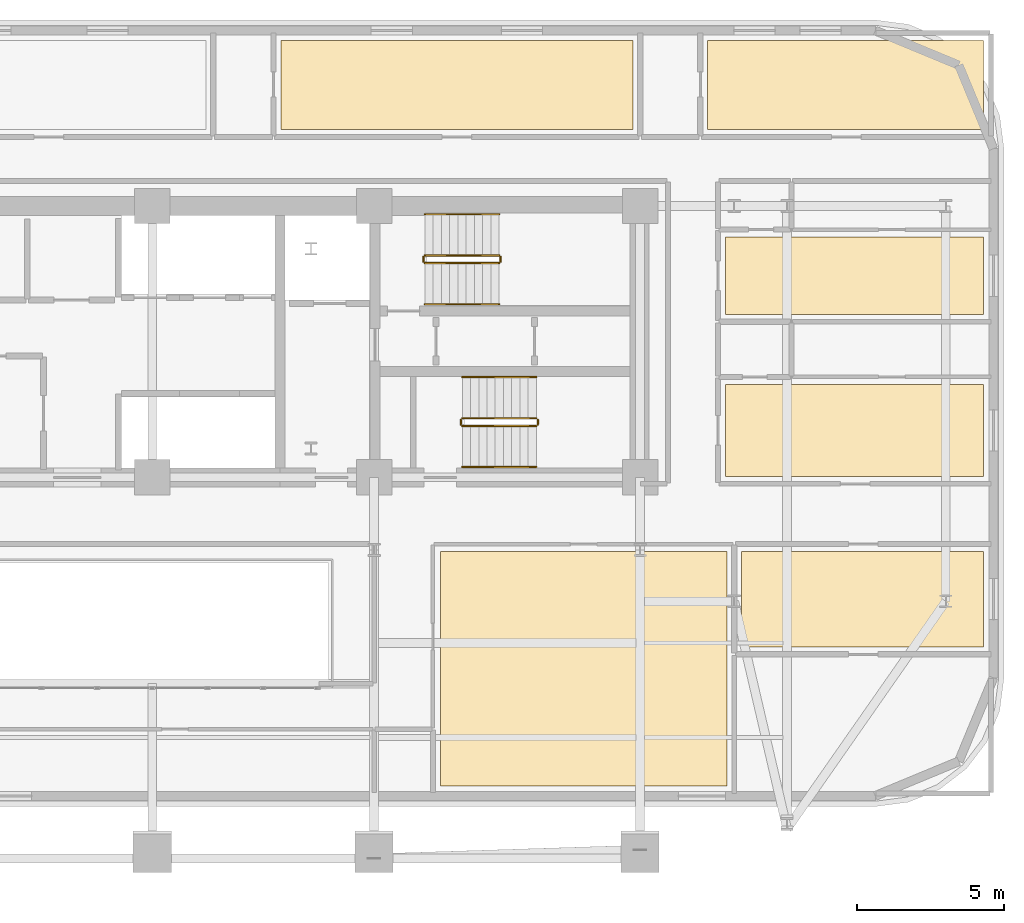
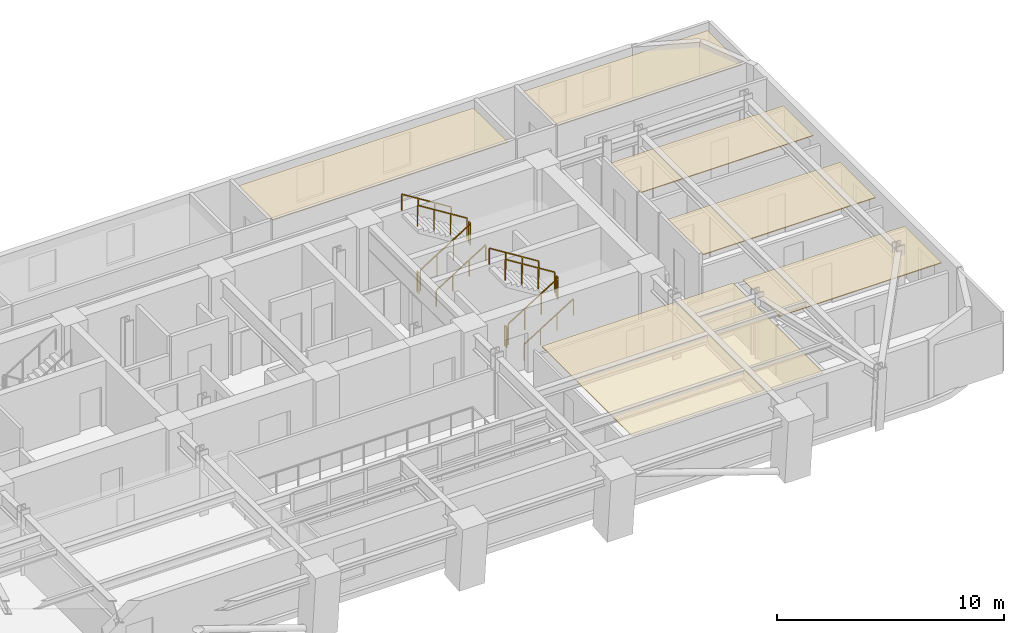
# One storey, part 14 of 14: 12 railings, 6 coverings.
"""IFC4 building model written with IfcOpenShell, lengths in metres."""

from ifc_helpers import new_model, si_unit, direction, frame, origin, origin_2d, place, context, subcontext, project, spatial, polyline, rectangle, outline, extrude, material, layer, layer_set, type_object, element, save


model = new_model("IFC4")

# Units and contexts
model_context = context("Model", 3, precision=1e-05, world=origin(), true_north=direction((0.0, 1.0)))
body_context = subcontext(model_context, "Body", "Model", "MODEL_VIEW")
ifc_project = project(units=[si_unit("LENGTHUNIT", "METRE"), si_unit("AREAUNIT", "SQUARE_METRE"), si_unit("VOLUMEUNIT", "CUBIC_METRE"), si_unit("PLANEANGLEUNIT", "RADIAN"), si_unit("MASSUNIT", "GRAM", prefix="KILO")], contexts=[model_context])

# Site, building, storey
site_placement = place(None, origin())
site = spatial("IfcSite", under=ifc_project, at=site_placement, CompositionType="ELEMENT")
building_placement = place(site_placement, origin())
building = spatial("IfcBuilding", under=site, at=building_placement, Name="Zarnavel Station Tower", CompositionType="ELEMENT")
storey_placement = place(building_placement, frame((0.0, 0.0, 122.300048828125)))
storey = spatial("IfcBuildingStorey", under=building, at=storey_placement, Name="L33", CompositionType="ELEMENT", Elevation=122.300048828125)

# Coverings
ifc_material_1 = material(Name="Perforated Gypsum and Mineral-Wool Acoustic Ceiling", Category="concrete")
ifc_layer = layer(ifc_material_1, 0.0400390625)
ifc_layer_set = layer_set([ifc_layer], Name="COV_CEIL_ACOUSTIC")
covering_type = type_object("IfcCoveringType", Name="COV_CEIL_ACOUSTIC", PredefinedType="CEILING", material=ifc_layer_set)
covering_1_placement = place(storey_placement, frame((0.0, 0.0, 2.919921875)))
element("IfcCovering", 1, at=covering_1_placement, inside=storey, type_object=covering_type, Name="L33 FNE1R Acoustic Ceiling", PredefinedType="CEILING", context=body_context, shape_type="SweptSolid", body=[
    extrude(outline(polyline([(48.300048828125, 27.85009765625), (57.090087890625, 27.85009765625), (57.090087890625, 30.986083984375), (48.300048828125, 30.986083984375), (48.300048828125, 27.85009765625)])), origin(), (0.0, 0.0, 1.0), 0.0400390625),
])
covering_2_placement = place(storey_placement, frame((0.0, 0.0, 2.919921875)))
element("IfcCovering", 2, at=covering_2_placement, inside=storey, type_object=covering_type, Name="L33 FNE2R Acoustic Ceiling", PredefinedType="CEILING", context=body_context, shape_type="SweptSolid", body=[
    extrude(outline(polyline([(48.300048828125, 33.35888671875), (57.090087890625, 33.35888671875), (57.090087890625, 36.0), (48.300048828125, 36.0), (48.300048828125, 33.35888671875)])), origin(), (0.0, 0.0, 1.0), 0.0400390625),
])
covering_3_placement = place(storey_placement, frame((0.0, 0.0, 2.919921875)))
element("IfcCovering", 3, at=covering_3_placement, inside=storey, type_object=covering_type, Name="L33 HN3R Acoustic Ceiling", PredefinedType="CEILING", context=body_context, shape_type="SweptSolid", body=[
    extrude(outline(polyline([(33.177001953125, 39.64990234375), (45.14990234375, 39.64990234375), (45.14990234375, 42.68994140625), (33.177001953125, 42.68994140625), (33.177001953125, 39.64990234375)])), origin(), (0.0, 0.0, 1.0), 0.0400390625),
])
covering_4_placement = place(storey_placement, frame((0.0, 0.0, 2.919921875)))
element("IfcCovering", 4, at=covering_4_placement, inside=storey, type_object=covering_type, Name="L33 HN4R Acoustic Ceiling", PredefinedType="CEILING", context=body_context, shape_type="SweptSolid", body=[
    extrude(outline(polyline([(47.699951171875, 39.64990234375), (57.090087890625, 39.64990234375), (57.090087890625, 42.68994140625), (47.699951171875, 42.68994140625), (47.699951171875, 39.64990234375)])), origin(), (0.0, 0.0, 1.0), 0.0400390625),
])
covering_5_placement = place(storey_placement, frame((0.0, 0.0, 2.919921875)))
element("IfcCovering", 5, at=covering_5_placement, inside=storey, type_object=covering_type, Name="L33 L33DIN Acoustic Ceiling", PredefinedType="CEILING", context=body_context, shape_type="SweptSolid", body=[
    extrude(outline(polyline([(38.60009765625, 17.31005859375), (48.35009765625, 17.31005859375), (48.35009765625, 25.300048828125), (38.60009765625, 25.300048828125), (38.60009765625, 17.31005859375)])), origin(), (0.0, 0.0, 1.0), 0.0400390625),
])
covering_6_placement = place(storey_placement, frame((0.0, 0.0, 2.919921875)))
element("IfcCovering", 6, at=covering_6_placement, inside=storey, type_object=covering_type, Name="L33 L33KIT Acoustic Ceiling", PredefinedType="CEILING", context=body_context, shape_type="SweptSolid", body=[
    extrude(outline(polyline([(48.85009765625, 22.050048828125), (57.090087890625, 22.050048828125), (57.090087890625, 25.300048828125), (48.85009765625, 25.300048828125), (48.85009765625, 22.050048828125)])), origin(), (0.0, 0.0, 1.0), 0.0400390625),
])

# Railings
ifc_material_2 = material(Name="Painted Steel S355J2 Balustrade", Category="steel")
railing_type_1 = type_object("IfcRailingType", Name="GR_INT_1150", PredefinedType="GUARDRAIL", material=ifc_material_2)
railing_1_placement = place(storey_placement, frame((38.080078125, 35.110107421875, 0.175048828125)))
element("IfcRailing", 7, at=railing_1_placement, inside=storey, type_object=railing_type_1, Name="L33 ST2 stair guard 1", PredefinedType="GUARDRAIL", context=body_context, shape_type="SweptSolid", body=[
    extrude(rectangle(XDim=0.048095703125, YDim=0.048095703125, at=origin_2d()), frame((0.001708984375, 0.0, 1.126953125), z_axis=(0.848007534815, 0.0, 0.529984170421), x_axis=(0.0, 1.0, 0.0)), (0.0, 0.0, 1.0), 2.9677734375),
    extrude(rectangle(XDim=0.0419921875, YDim=0.0419921875, at=origin_2d()), origin(), (0.0, 0.0, 1.0), 1.101806640625),
    extrude(rectangle(XDim=0.0419921875, YDim=0.0419921875, at=origin_2d()), frame((0.840087890625, 0.0, 0.52490234375)), (0.0, 0.0, 1.0), 1.101806640625),
    extrude(rectangle(XDim=0.0419921875, YDim=0.0419921875, at=origin_2d()), frame((1.679931640625, 0.0, 1.050048828125)), (0.0, 0.0, 1.0), 1.101806640625),
    extrude(rectangle(XDim=0.0419921875, YDim=0.0419921875, at=origin_2d()), frame((2.52001953125, 0.0, 1.574951171875)), (0.0, 0.0, 1.0), 1.101806640625),
])
railing_2_placement = place(storey_placement, frame((40.64990234375, 35.159912109375, 1.75)))
element("IfcRailing", 8, at=railing_2_placement, inside=storey, type_object=railing_type_1, Name="L33 ST2 stair guard 2", PredefinedType="GUARDRAIL", context=body_context, shape_type="SweptSolid", body=[
    extrude(rectangle(XDim=0.048095703125, YDim=0.048095703125, at=origin_2d()), frame((0.0, 0.001953125, 1.1259765625), z_axis=(0.0, 1.0, 0.0), x_axis=(-1.0, 0.0, 0.0)), (0.0, 0.0, 1.0), 0.15625),
    extrude(rectangle(XDim=0.0419921875, YDim=0.0419921875, at=origin_2d()), origin(), (0.0, 0.0, 1.0), 1.101806640625),
    extrude(rectangle(XDim=0.0419921875, YDim=0.0419921875, at=origin_2d()), frame((0.0, 0.16015625, 0.0)), (0.0, 0.0, 1.0), 1.101806640625),
])
railing_3_placement = place(storey_placement, frame((40.60009765625, 35.3701171875, 1.925048828125)))
element("IfcRailing", 9, at=railing_3_placement, inside=storey, type_object=railing_type_1, Name="L33 ST2 stair guard 3", PredefinedType="GUARDRAIL", context=body_context, shape_type="SweptSolid", body=[
    extrude(rectangle(XDim=0.048095703125, YDim=0.048095703125, at=origin_2d()), frame((-0.001708984375, 0.0, 1.126953125), z_axis=(-0.848007534815, 0.0, 0.529984170421), x_axis=(0.0, -1.0, 0.0)), (0.0, 0.0, 1.0), 2.9677734375),
    extrude(rectangle(XDim=0.0419921875, YDim=0.0419921875, at=origin_2d()), origin(), (0.0, 0.0, 1.0), 1.101806640625),
    extrude(rectangle(XDim=0.0419921875, YDim=0.0419921875, at=origin_2d()), frame((-0.840087890625, 0.0, 0.52490234375)), (0.0, 0.0, 1.0), 1.101806640625),
    extrude(rectangle(XDim=0.0419921875, YDim=0.0419921875, at=origin_2d()), frame((-1.679931640625, 0.0, 1.050048828125)), (0.0, 0.0, 1.0), 1.101806640625),
    extrude(rectangle(XDim=0.0419921875, YDim=0.0419921875, at=origin_2d()), frame((-2.52001953125, 0.0, 1.574951171875)), (0.0, 0.0, 1.0), 1.101806640625),
])
railing_4_placement = place(storey_placement, frame((38.030029296875, 35.159912109375, 0.0)))
element("IfcRailing", 10, at=railing_4_placement, inside=storey, type_object=railing_type_1, Name="L33 ST2 stair guard 4", PredefinedType="GUARDRAIL", context=body_context, shape_type="SweptSolid", body=[
    extrude(rectangle(XDim=0.048095703125, YDim=0.048095703125, at=origin_2d()), frame((0.0, 0.001953125, 1.1259765625), z_axis=(0.0, 1.0, 0.0), x_axis=(-1.0, 0.0, 0.0)), (0.0, 0.0, 1.0), 0.15625),
    extrude(rectangle(XDim=0.0419921875, YDim=0.0419921875, at=origin_2d()), origin(), (0.0, 0.0, 1.0), 1.101806640625),
    extrude(rectangle(XDim=0.0419921875, YDim=0.0419921875, at=origin_2d()), frame((0.0, 0.16015625, 0.0)), (0.0, 0.0, 1.0), 1.101806640625),
])
railing_5_placement = place(storey_placement, frame((39.35009765625, 29.570068359375, 0.175048828125)))
element("IfcRailing", 11, at=railing_5_placement, inside=storey, type_object=railing_type_1, Name="L33 ST3 stair guard 1", PredefinedType="GUARDRAIL", context=body_context, shape_type="SweptSolid", body=[
    extrude(rectangle(XDim=0.048095703125, YDim=0.048095703125, at=origin_2d()), frame((0.001708984375, 0.0, 1.126953125), z_axis=(0.848007534815, 0.0, 0.529984170421), x_axis=(0.0, 1.0, 0.0)), (0.0, 0.0, 1.0), 2.9677734375),
    extrude(rectangle(XDim=0.0419921875, YDim=0.0419921875, at=origin_2d()), origin(), (0.0, 0.0, 1.0), 1.101806640625),
    extrude(rectangle(XDim=0.0419921875, YDim=0.0419921875, at=origin_2d()), frame((0.840087890625, 0.0, 0.52490234375)), (0.0, 0.0, 1.0), 1.101806640625),
    extrude(rectangle(XDim=0.0419921875, YDim=0.0419921875, at=origin_2d()), frame((1.679931640625, 0.0, 1.050048828125)), (0.0, 0.0, 1.0), 1.101806640625),
    extrude(rectangle(XDim=0.0419921875, YDim=0.0419921875, at=origin_2d()), frame((2.52001953125, 0.0, 1.574951171875)), (0.0, 0.0, 1.0), 1.101806640625),
])
railing_6_placement = place(storey_placement, frame((41.919921875, 29.6201171875, 1.75)))
element("IfcRailing", 12, at=railing_6_placement, inside=storey, type_object=railing_type_1, Name="L33 ST3 stair guard 2", PredefinedType="GUARDRAIL", context=body_context, shape_type="SweptSolid", body=[
    extrude(rectangle(XDim=0.048095703125, YDim=0.048095703125, at=origin_2d()), frame((0.0, 0.001953125, 1.1259765625), z_axis=(0.0, 1.0, 0.0), x_axis=(-1.0, 0.0, 0.0)), (0.0, 0.0, 1.0), 0.156005859375),
    extrude(rectangle(XDim=0.0419921875, YDim=0.0419921875, at=origin_2d()), origin(), (0.0, 0.0, 1.0), 1.101806640625),
    extrude(rectangle(XDim=0.0419921875, YDim=0.0419921875, at=origin_2d()), frame((0.0, 0.159912109375, 0.0)), (0.0, 0.0, 1.0), 1.101806640625),
])
railing_7_placement = place(storey_placement, frame((41.8701171875, 29.830078125, 1.925048828125)))
element("IfcRailing", 13, at=railing_7_placement, inside=storey, type_object=railing_type_1, Name="L33 ST3 stair guard 3", PredefinedType="GUARDRAIL", context=body_context, shape_type="SweptSolid", body=[
    extrude(rectangle(XDim=0.048095703125, YDim=0.048095703125, at=origin_2d()), frame((-0.001708984375, 0.0, 1.126953125), z_axis=(-0.848007534815, 0.0, 0.529984170421), x_axis=(0.0, -1.0, 0.0)), (0.0, 0.0, 1.0), 2.9677734375),
    extrude(rectangle(XDim=0.0419921875, YDim=0.0419921875, at=origin_2d()), origin(), (0.0, 0.0, 1.0), 1.101806640625),
    extrude(rectangle(XDim=0.0419921875, YDim=0.0419921875, at=origin_2d()), frame((-0.840087890625, 0.0, 0.52490234375)), (0.0, 0.0, 1.0), 1.101806640625),
    extrude(rectangle(XDim=0.0419921875, YDim=0.0419921875, at=origin_2d()), frame((-1.679931640625, 0.0, 1.050048828125)), (0.0, 0.0, 1.0), 1.101806640625),
    extrude(rectangle(XDim=0.0419921875, YDim=0.0419921875, at=origin_2d()), frame((-2.52001953125, 0.0, 1.574951171875)), (0.0, 0.0, 1.0), 1.101806640625),
])
railing_8_placement = place(storey_placement, frame((39.300048828125, 29.6201171875, 0.0)))
element("IfcRailing", 14, at=railing_8_placement, inside=storey, type_object=railing_type_1, Name="L33 ST3 stair guard 4", PredefinedType="GUARDRAIL", context=body_context, shape_type="SweptSolid", body=[
    extrude(rectangle(XDim=0.048095703125, YDim=0.048095703125, at=origin_2d()), frame((0.0, 0.001953125, 1.1259765625), z_axis=(0.0, 1.0, 0.0), x_axis=(-1.0, 0.0, 0.0)), (0.0, 0.0, 1.0), 0.156005859375),
    extrude(rectangle(XDim=0.0419921875, YDim=0.0419921875, at=origin_2d()), origin(), (0.0, 0.0, 1.0), 1.101806640625),
    extrude(rectangle(XDim=0.0419921875, YDim=0.0419921875, at=origin_2d()), frame((0.0, 0.159912109375, 0.0)), (0.0, 0.0, 1.0), 1.101806640625),
])
ifc_material_3 = material(Name="Brushed Stainless Steel S355J2 Handrail", Category="steel")
railing_type_2 = type_object("IfcRailingType", Name="HR_STAIR_900", PredefinedType="HANDRAIL", material=ifc_material_3)
railing_9_placement = place(storey_placement, frame((38.080078125, 33.7099609375, 0.175048828125)))
element("IfcRailing", 15, at=railing_9_placement, inside=storey, type_object=railing_type_2, Name="L33 ST2 stair handrail 1", PredefinedType="HANDRAIL", context=body_context, shape_type="SweptSolid", body=[
    extrude(rectangle(XDim=0.048095703125, YDim=0.048095703125, at=origin_2d()), frame((0.001708984375, 0.0, 0.876953125), z_axis=(0.848007534815, 0.0, 0.529984170421), x_axis=(0.0, 1.0, 0.0)), (0.0, 0.0, 1.0), 2.9677734375),
    extrude(rectangle(XDim=0.0419921875, YDim=0.0419921875, at=origin_2d()), origin(), (0.0, 0.0, 1.0), 0.851806640625),
    extrude(rectangle(XDim=0.0419921875, YDim=0.0419921875, at=origin_2d()), frame((0.840087890625, 0.0, 0.52490234375)), (0.0, 0.0, 1.0), 0.851806640625),
    extrude(rectangle(XDim=0.0419921875, YDim=0.0419921875, at=origin_2d()), frame((1.679931640625, 0.0, 1.050048828125)), (0.0, 0.0, 1.0), 0.851806640625),
    extrude(rectangle(XDim=0.0419921875, YDim=0.0419921875, at=origin_2d()), frame((2.52001953125, 0.0, 1.574951171875)), (0.0, 0.0, 1.0), 0.851806640625),
])
railing_10_placement = place(storey_placement, frame((40.60009765625, 36.77001953125, 1.925048828125)))
element("IfcRailing", 16, at=railing_10_placement, inside=storey, type_object=railing_type_2, Name="L33 ST2 stair handrail 2", PredefinedType="HANDRAIL", context=body_context, shape_type="SweptSolid", body=[
    extrude(rectangle(XDim=0.048095703125, YDim=0.048095703125, at=origin_2d()), frame((-0.001708984375, 0.0, 0.876953125), z_axis=(-0.848007534815, 0.0, 0.529984170421), x_axis=(0.0, -1.0, 0.0)), (0.0, 0.0, 1.0), 2.9677734375),
    extrude(rectangle(XDim=0.0419921875, YDim=0.0419921875, at=origin_2d()), origin(), (0.0, 0.0, 1.0), 0.851806640625),
    extrude(rectangle(XDim=0.0419921875, YDim=0.0419921875, at=origin_2d()), frame((-0.840087890625, 0.0, 0.52490234375)), (0.0, 0.0, 1.0), 0.851806640625),
    extrude(rectangle(XDim=0.0419921875, YDim=0.0419921875, at=origin_2d()), frame((-1.679931640625, 0.0, 1.050048828125)), (0.0, 0.0, 1.0), 0.851806640625),
    extrude(rectangle(XDim=0.0419921875, YDim=0.0419921875, at=origin_2d()), frame((-2.52001953125, 0.0, 1.574951171875)), (0.0, 0.0, 1.0), 0.851806640625),
])
railing_11_placement = place(storey_placement, frame((39.35009765625, 28.169921875, 0.175048828125)))
element("IfcRailing", 17, at=railing_11_placement, inside=storey, type_object=railing_type_2, Name="L33 ST3 stair handrail 1", PredefinedType="HANDRAIL", context=body_context, shape_type="SweptSolid", body=[
    extrude(rectangle(XDim=0.048095703125, YDim=0.048095703125, at=origin_2d()), frame((0.001708984375, 0.0, 0.876953125), z_axis=(0.848007534815, 0.0, 0.529984170421), x_axis=(0.0, 1.0, 0.0)), (0.0, 0.0, 1.0), 2.9677734375),
    extrude(rectangle(XDim=0.0419921875, YDim=0.0419921875, at=origin_2d()), origin(), (0.0, 0.0, 1.0), 0.851806640625),
    extrude(rectangle(XDim=0.0419921875, YDim=0.0419921875, at=origin_2d()), frame((0.840087890625, 0.0, 0.52490234375)), (0.0, 0.0, 1.0), 0.851806640625),
    extrude(rectangle(XDim=0.0419921875, YDim=0.0419921875, at=origin_2d()), frame((1.679931640625, 0.0, 1.050048828125)), (0.0, 0.0, 1.0), 0.851806640625),
    extrude(rectangle(XDim=0.0419921875, YDim=0.0419921875, at=origin_2d()), frame((2.52001953125, 0.0, 1.574951171875)), (0.0, 0.0, 1.0), 0.851806640625),
])
railing_12_placement = place(storey_placement, frame((41.8701171875, 31.22998046875, 1.925048828125)))
element("IfcRailing", 18, at=railing_12_placement, inside=storey, type_object=railing_type_2, Name="L33 ST3 stair handrail 2", PredefinedType="HANDRAIL", context=body_context, shape_type="SweptSolid", body=[
    extrude(rectangle(XDim=0.048095703125, YDim=0.048095703125, at=origin_2d()), frame((-0.001708984375, 0.0, 0.876953125), z_axis=(-0.848007534815, 0.0, 0.529984170421), x_axis=(0.0, -1.0, 0.0)), (0.0, 0.0, 1.0), 2.9677734375),
    extrude(rectangle(XDim=0.0419921875, YDim=0.0419921875, at=origin_2d()), origin(), (0.0, 0.0, 1.0), 0.851806640625),
    extrude(rectangle(XDim=0.0419921875, YDim=0.0419921875, at=origin_2d()), frame((-0.840087890625, 0.0, 0.52490234375)), (0.0, 0.0, 1.0), 0.851806640625),
    extrude(rectangle(XDim=0.0419921875, YDim=0.0419921875, at=origin_2d()), frame((-1.679931640625, 0.0, 1.050048828125)), (0.0, 0.0, 1.0), 0.851806640625),
    extrude(rectangle(XDim=0.0419921875, YDim=0.0419921875, at=origin_2d()), frame((-2.52001953125, 0.0, 1.574951171875)), (0.0, 0.0, 1.0), 0.851806640625),
])

save(model, "model.ifc")
